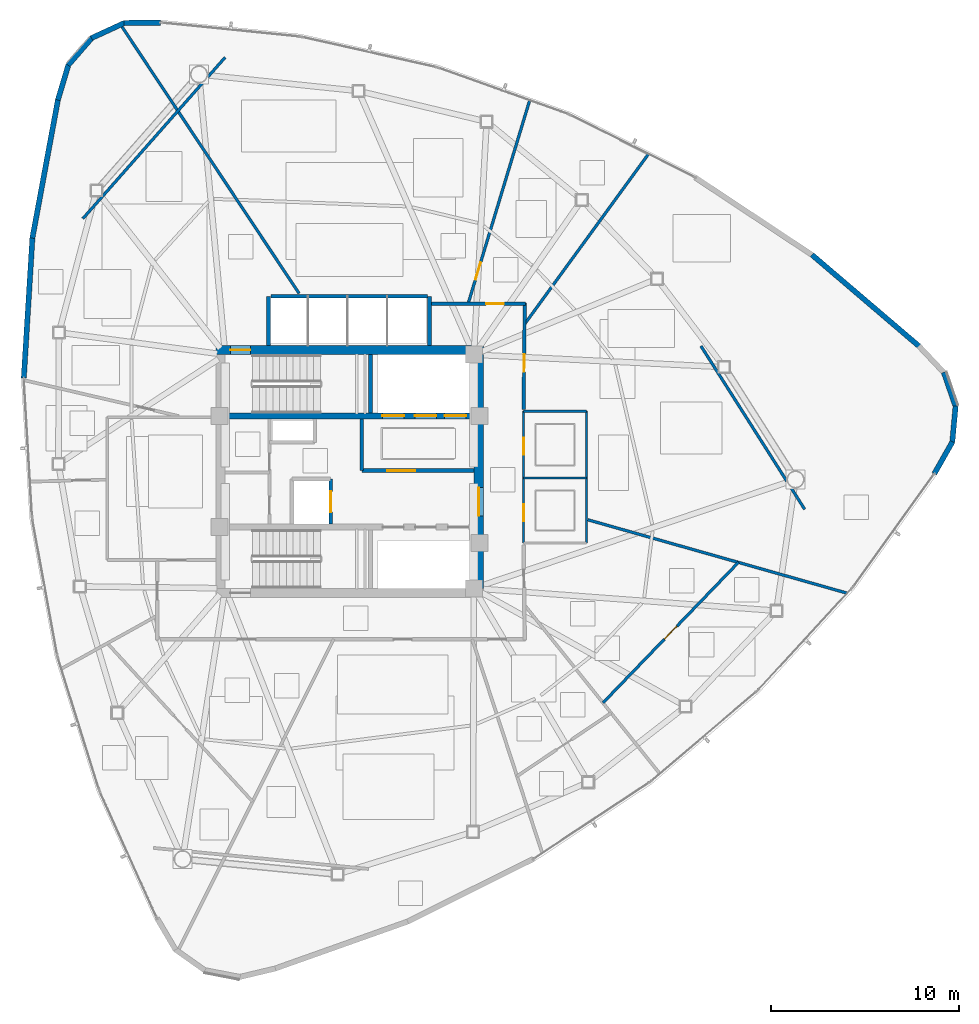
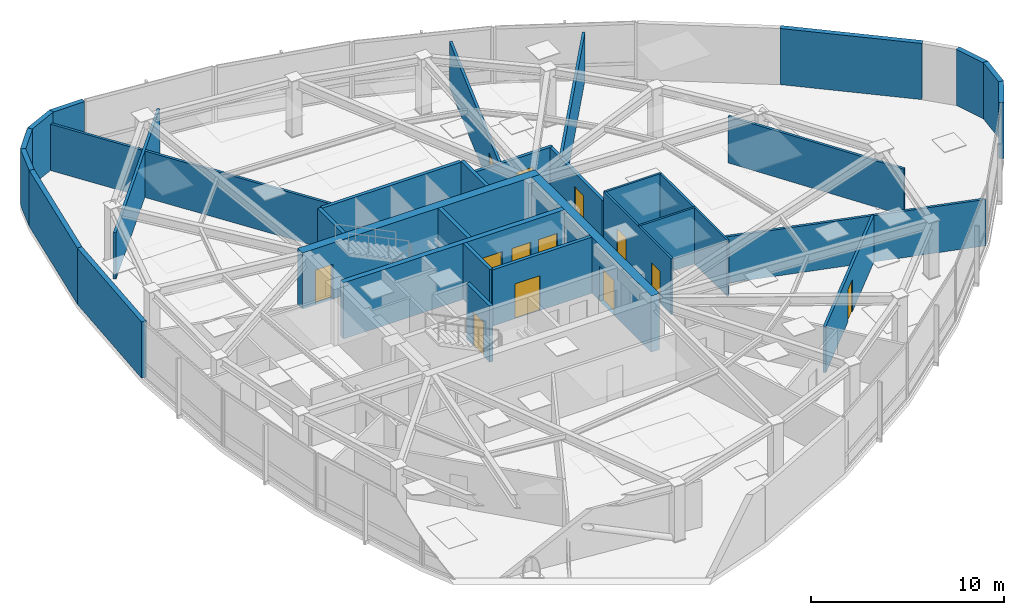
# One storey, part 12 of 17: 33 walls, 13 doors, 13 openings.
"""IFC4 building model written with IfcOpenShell, lengths in metres."""

from ifc_helpers import new_model, si_unit, direction, frame, frame_2d, origin, place, context, subcontext, project, spatial, rectangle, extrude, material, layer, layer_set, type_object, element, fill, save


model = new_model("IFC4")

# Units and contexts
model_context = context("Model", 3, precision=1e-05, world=origin(), true_north=direction((0.0, 1.0)))
body_context = subcontext(model_context, "Body", "Model", "MODEL_VIEW")
ifc_project = project(units=[si_unit("LENGTHUNIT", "METRE"), si_unit("AREAUNIT", "SQUARE_METRE"), si_unit("VOLUMEUNIT", "CUBIC_METRE"), si_unit("PLANEANGLEUNIT", "RADIAN"), si_unit("MASSUNIT", "GRAM", prefix="KILO")], contexts=[model_context])

# Site, building, storey
site_placement = place(None, origin())
site = spatial("IfcSite", under=ifc_project, at=site_placement, CompositionType="ELEMENT")
building_placement = place(site_placement, origin())
building = spatial("IfcBuilding", under=site, at=building_placement, Name="Tavelor Broadcast Tower", CompositionType="ELEMENT")
storey_placement = place(building_placement, frame((0.0, 0.0, 188.75)))
storey = spatial("IfcBuildingStorey", under=building, at=storey_placement, Name="L45", CompositionType="ELEMENT", Elevation=188.75)

# Wall, opening, door
ifc_material_1 = material(Name="Concrete C50/60", Category="concrete")
ifc_layer_1 = layer(ifc_material_1, 0.5)
ifc_layer_set_1 = layer_set([ifc_layer_1], Name="Concrete C50/60")
wall_type_1 = type_object("IfcWallType", Name="Core Shear Wall 500 mm", PredefinedType="SHEAR", material=ifc_layer_set_1)
wall_1_placement = place(storey_placement, frame((42.89990234375, 51.449951171875, 0.0), z_axis=(0.0, 0.0, 1.0), x_axis=(1.0, 0.0, 0.0)))
wall_1 = element("IfcWall", 1, at=wall_1_placement, inside=storey, type_object=wall_type_1, Name="L45 Central Core Shear Wall N", PredefinedType="SHEAR", context=body_context, shape_type="SweptSolid", body=[
    extrude(rectangle(XDim=14.2001953125, YDim=0.5, at=frame_2d((7.10009765625, 0.0))), origin(), (0.0, 0.0, 1.0), 3.550048828125),
])
opening_1_placement = place(wall_1_placement, frame((0.780029296875, 0.0, 0.0)))
opening_1 = element("IfcOpeningElement", 2, at=opening_1_placement, cuts=wall_1, Name="Opening DR11", PredefinedType="OPENING", context=body_context, shape_type="SweptSolid", body=[
    extrude(rectangle(XDim=1.050048828125, YDim=2.199951171875, at=frame_2d((0.52490234375, 1.10009765625))), frame((0.0, 0.260009765625, 0.0), z_axis=(0.0, -1.0, 0.0), x_axis=(1.0, 0.0, 0.0)), (0.0, 0.0, 1.0), 0.52001953125),
])
ifc_material_2 = material(Name="Steel S355", Category="steel")
door_type_1 = type_object("IfcDoorType", Name="Stair Core Fire Escape Door 1050x2200", OperationType="NOTDEFINED", PredefinedType="DOOR", material=ifc_material_2)
door_1_placement = place(opening_1_placement, origin())
door_1 = element("IfcDoor", 3, at=door_1_placement, inside=storey, type_object=door_type_1, Name="L45 Stair ST1 Protected Exit Door", OperationType="SINGLE_SWING_LEFT", OverallHeight=2.199951171875, OverallWidth=1.050048828125, PredefinedType="DOOR", context=body_context, shape_type="SweptSolid", body=[
    extrude(rectangle(XDim=1.050048828125, YDim=2.199951171875, at=frame_2d((0.52490234375, 1.10009765625))), frame((0.0, 0.02490234375, 0.0), z_axis=(0.0, -1.0, 0.0), x_axis=(1.0, 0.0, 0.0)), (0.0, 0.0, 1.0), 0.050048828125),
])
fill(opening_1, door_1)

wall_2_placement = place(storey_placement, frame((56.85009765625, 38.800048828125, 0.0), z_axis=(0.0, 0.0, 1.0), x_axis=(0.0, 1.0, 0.0)))
wall_2 = element("IfcWall", 4, at=wall_2_placement, inside=storey, type_object=wall_type_1, Name="L45 Central Core Shear Wall E", PredefinedType="SHEAR", context=body_context, shape_type="SweptSolid", body=[
    extrude(rectangle(XDim=12.39990234375, YDim=0.5, at=frame_2d((6.199951171875, 0.0))), origin(), (0.0, 0.0, 1.0), 3.550048828125),
])
opening_2_placement = place(wall_2_placement, frame((3.85009765625, 0.0, 0.0)))
opening_2 = element("IfcOpeningElement", 5, at=opening_2_placement, cuts=wall_2, Name="Opening DR14", PredefinedType="OPENING", context=body_context, shape_type="SweptSolid", body=[
    extrude(rectangle(XDim=1.5, YDim=2.199951171875, at=frame_2d((0.75, 1.10009765625))), frame((0.0, 0.260009765625, 0.0), z_axis=(0.0, -1.0, 0.0), x_axis=(1.0, 0.0, 0.0)), (0.0, 0.0, 1.0), 0.52001953125),
])
door_type_2 = type_object("IfcDoorType", Name="Firefighting Lobby Double Fire Door 1500x2200", OperationType="NOTDEFINED", PredefinedType="DOOR", material=ifc_material_2)
door_2_placement = place(opening_2_placement, origin())
door_2 = element("IfcDoor", 6, at=door_2_placement, inside=storey, type_object=door_type_2, Name="L45 Central Core Lobby Fire Door", OperationType="SINGLE_SWING_RIGHT", OverallHeight=2.199951171875, OverallWidth=1.5, PredefinedType="DOOR", context=body_context, shape_type="SweptSolid", body=[
    extrude(rectangle(XDim=1.5, YDim=2.199951171875, at=frame_2d((0.75, 1.10009765625))), frame((0.0, 0.02490234375, 0.0), z_axis=(0.0, -1.0, 0.0), x_axis=(1.0, 0.0, 0.0)), (0.0, 0.0, 1.0), 0.050048828125),
])
fill(opening_2, door_2)

# Wall, openings, doors
ifc_layer_2 = layer(ifc_material_1, 0.300048828125)
ifc_layer_set_2 = layer_set([ifc_layer_2], Name="Concrete C50/60")
wall_type_2 = type_object("IfcWallType", Name="Core Spine Shear Wall 300 mm C50", PredefinedType="SHEAR", material=ifc_layer_set_2)
wall_3_placement = place(storey_placement, frame((43.39990234375, 47.949951171875, 0.0), z_axis=(0.0, 0.0, 1.0), x_axis=(1.0, 0.0, 0.0)))
wall_3 = element("IfcWall", 7, at=wall_3_placement, inside=storey, type_object=wall_type_2, Name="L45 Central Core Shear Wall SP1", PredefinedType="SHEAR", context=body_context, shape_type="SweptSolid", body=[
    extrude(rectangle(XDim=13.2001953125, YDim=0.300048828125, at=frame_2d((6.60009765625, 0.0))), origin(), (0.0, 0.0, 1.0), 3.550048828125),
])
opening_3_placement = place(wall_3_placement, frame((8.344970703125, 0.0, 0.0)))
opening_3 = element("IfcOpeningElement", 8, at=opening_3_placement, cuts=wall_3, Name="Opening LD02", PredefinedType="OPENING", context=body_context, shape_type="SweptSolid", body=[
    extrude(rectangle(XDim=1.14990234375, YDim=2.199951171875, at=frame_2d((0.574951171875, 1.10009765625))), frame((0.0, 0.16015625, 0.0), z_axis=(0.0, -1.0, 0.0), x_axis=(1.0, 0.0, 0.0)), (0.0, 0.0, 1.0), 0.320068359375),
])
opening_4_placement = place(wall_3_placement, frame((10.06494140625, 0.0, 0.0)))
opening_4 = element("IfcOpeningElement", 9, at=opening_4_placement, cuts=wall_3, Name="Opening LD02", PredefinedType="OPENING", context=body_context, shape_type="SweptSolid", body=[
    extrude(rectangle(XDim=1.14990234375, YDim=2.199951171875, at=frame_2d((0.574951171875, 1.10009765625))), frame((0.0, 0.16015625, 0.0), z_axis=(0.0, -1.0, 0.0), x_axis=(1.0, 0.0, 0.0)), (0.0, 0.0, 1.0), 0.320068359375),
])
opening_5_placement = place(wall_3_placement, frame((11.64501953125, 0.0, 0.0)))
opening_5 = element("IfcOpeningElement", 10, at=opening_5_placement, cuts=wall_3, Name="Opening LD03", PredefinedType="OPENING", context=body_context, shape_type="SweptSolid", body=[
    extrude(rectangle(XDim=1.14990234375, YDim=2.199951171875, at=frame_2d((0.574951171875, 1.10009765625))), frame((0.0, 0.16015625, 0.0), z_axis=(0.0, -1.0, 0.0), x_axis=(1.0, 0.0, 0.0)), (0.0, 0.0, 1.0), 0.320068359375),
])
ifc_material_3 = material(Name="Reinforced Brushed Stainless Steel", Category="concrete")
door_type_3 = type_object("IfcDoorType", Name="Broadcast Goods Lift Sliding Landing Door 1250x2200", OperationType="NOTDEFINED", PredefinedType="DOOR", material=ifc_material_3)
door_3_placement = place(opening_5_placement, origin())
door_3 = element("IfcDoor", 11, at=door_3_placement, inside=storey, type_object=door_type_3, Name="L45 Lift SVL1 Sliding Landing Door", OperationType="SLIDING_TO_LEFT", OverallHeight=2.199951171875, OverallWidth=1.14990234375, PredefinedType="DOOR", context=body_context, shape_type="SweptSolid", body=[
    extrude(rectangle(XDim=1.14990234375, YDim=2.199951171875, at=frame_2d((0.574951171875, 1.10009765625))), frame((0.0, 0.02490234375, 0.0), z_axis=(0.0, -1.0, 0.0), x_axis=(1.0, 0.0, 0.0)), (0.0, 0.0, 1.0), 0.050048828125),
])
fill(opening_5, door_3)
ifc_material_4 = material(Name="Fire-Rated Stainless Steel", Category="steel")
door_type_4 = type_object("IfcDoorType", Name="Firefighting Lift Sliding Landing Door 1200x2200", OperationType="NOTDEFINED", PredefinedType="DOOR", material=ifc_material_4)
door_4_placement = place(opening_3_placement, origin())
door_4 = element("IfcDoor", 12, at=door_4_placement, inside=storey, type_object=door_type_4, Name="L45 Lift FFL1 Sliding Landing Door", OperationType="SLIDING_TO_LEFT", OverallHeight=2.199951171875, OverallWidth=1.14990234375, PredefinedType="DOOR", context=body_context, shape_type="SweptSolid", body=[
    extrude(rectangle(XDim=1.14990234375, YDim=2.199951171875, at=frame_2d((0.574951171875, 1.10009765625))), frame((0.0, 0.02490234375, 0.0), z_axis=(0.0, -1.0, 0.0), x_axis=(1.0, 0.0, 0.0)), (0.0, 0.0, 1.0), 0.050048828125),
])
fill(opening_3, door_4)
door_5_placement = place(opening_4_placement, origin())
door_5 = element("IfcDoor", 13, at=door_5_placement, inside=storey, type_object=door_type_4, Name="L45 Lift FFL2 Sliding Landing Door", OperationType="SLIDING_TO_LEFT", OverallHeight=2.199951171875, OverallWidth=1.14990234375, PredefinedType="DOOR", context=body_context, shape_type="SweptSolid", body=[
    extrude(rectangle(XDim=1.14990234375, YDim=2.199951171875, at=frame_2d((0.574951171875, 1.10009765625))), frame((0.0, 0.02490234375, 0.0), z_axis=(0.0, -1.0, 0.0), x_axis=(1.0, 0.0, 0.0)), (0.0, 0.0, 1.0), 0.050048828125),
])
fill(opening_4, door_5)

# Wall, opening, door
ifc_material_5 = material(Name="Calcium Silicate Fire Board 180 mm", Category="gypsum")
ifc_layer_3 = layer(ifc_material_5, 0.179931640625)
ifc_layer_set_3 = layer_set([ifc_layer_3], Name="Calcium Silicate Fire Board 180 mm")
wall_type_3 = type_object("IfcWallType", Name="Fire-Rated Corridor Partition Wall 180 mm", PredefinedType="PARTITIONING", material=ifc_layer_set_3)
wall_4_placement = place(storey_placement, frame((54.300048828125, 53.89990234375, 0.0), z_axis=(0.0, 0.0, 1.0), x_axis=(1.0, 0.0, 0.0)))
wall_4 = element("IfcWall", 14, at=wall_4_placement, inside=storey, type_object=wall_type_3, Name="L45 Corridor Compartment Wall 01", PredefinedType="PARTITIONING", context=body_context, shape_type="SweptSolid", body=[
    extrude(rectangle(XDim=5.050048828125, YDim=0.179931640625, at=frame_2d((2.52490234375, 0.0))), origin(), (0.0, 0.0, 1.0), 2.93505859375),
])
opening_6_placement = place(wall_4_placement, frame((2.947021484375, 0.0, 0.0)))
opening_6 = element("IfcOpeningElement", 15, at=opening_6_placement, cuts=wall_4, Name="Opening DR18", PredefinedType="OPENING", context=body_context, shape_type="SweptSolid", body=[
    extrude(rectangle(XDim=0.949951171875, YDim=2.050048828125, at=frame_2d((0.47509765625, 1.02490234375))), frame((0.0, 0.10009765625, 0.0), z_axis=(0.0, -1.0, 0.0), x_axis=(1.0, 0.0, 0.0)), (0.0, 0.0, 1.0), 0.199951171875),
])
ifc_material_6 = material(Name="Timber Solid Core Hardwood", Category="wood")
door_type_5 = type_object("IfcDoorType", Name="Corridor Rated Compartment Door 950x2050", OperationType="NOTDEFINED", PredefinedType="DOOR", material=ifc_material_6)
door_6_placement = place(opening_6_placement, origin())
door_6 = element("IfcDoor", 16, at=door_6_placement, inside=storey, type_object=door_type_5, Name="L45 Master Control Room Door R9", OperationType="SINGLE_SWING_LEFT", OverallHeight=2.050048828125, OverallWidth=0.949951171875, PredefinedType="DOOR", context=body_context, shape_type="SweptSolid", body=[
    extrude(rectangle(XDim=0.949951171875, YDim=2.050048828125, at=frame_2d((0.47509765625, 1.02490234375))), frame((0.0, 0.02490234375, 0.0), z_axis=(0.0, -1.0, 0.0), x_axis=(1.0, 0.0, 0.0)), (0.0, 0.0, 1.0), 0.050048828125),
])
fill(opening_6, door_6)

wall_5_placement = place(storey_placement, frame((59.300537109375, 53.949951171875, 0.0), z_axis=(0.0, 0.0, 1.0), x_axis=(-0.010629422803, -0.99994350609, 0.0)))
wall_5 = element("IfcWall", 17, at=wall_5_placement, inside=storey, type_object=wall_type_3, Name="L45 Corridor Compartment Wall 02", PredefinedType="PARTITIONING", context=body_context, shape_type="SweptSolid", body=[
    extrude(rectangle(XDim=5.650146484375, YDim=0.179931640625, at=frame_2d((2.8251953125, 0.0))), origin(), (0.0, 0.0, 1.0), 2.93505859375),
])
opening_7_placement = place(wall_5_placement, frame((2.71630859375, 0.0, 0.0)))
opening_7 = element("IfcOpeningElement", 18, at=opening_7_placement, cuts=wall_5, Name="Opening DR18", PredefinedType="OPENING", context=body_context, shape_type="SweptSolid", body=[
    extrude(rectangle(XDim=0.949951171875, YDim=2.050048828125, at=frame_2d((0.47509765625, 1.02490234375))), frame((0.0, 0.10009765625, 0.0), z_axis=(0.0, -1.0, 0.0), x_axis=(1.0, 0.0, 0.0)), (0.0, 0.0, 1.0), 0.199951171875),
])
door_7_placement = place(opening_7_placement, origin())
door_7 = element("IfcDoor", 19, at=door_7_placement, inside=storey, type_object=door_type_5, Name="L45 Standards Huddle Room Door R0", OperationType="SINGLE_SWING_RIGHT", OverallHeight=2.050048828125, OverallWidth=0.949951171875, PredefinedType="DOOR", context=body_context, shape_type="SweptSolid", body=[
    extrude(rectangle(XDim=0.949951171875, YDim=2.050048828125, at=frame_2d((0.47509765625, 1.02490234375))), frame((0.0, 0.02490234375, 0.0), z_axis=(0.0, -1.0, 0.0), x_axis=(1.0, 0.0, 0.0)), (0.0, 0.0, 1.0), 0.050048828125),
])
fill(opening_7, door_7)

# Walls
ifc_material_7 = material(Name="Precast Concrete C40/50", Category="concrete")
ifc_layer_4 = layer(ifc_material_7, 0.280029296875)
ifc_layer_set_4 = layer_set([ifc_layer_4], Name="Precast Concrete C40/50")
wall_type_4 = type_object("IfcWallType", Name="Insulated Precast Terracotta Facade Wall 280 mm", PredefinedType="STANDARD", material=ifc_layer_set_4)
wall_6_placement = place(storey_placement, frame((39.97509765625, 68.828125, 0.0), z_axis=(0.0, 0.0, 1.0), x_axis=(-0.999969682786, -0.007786752114, 0.0)))
element("IfcWall", 20, at=wall_6_placement, inside=storey, type_object=wall_type_4, Name="L45 Rounded Corner Structural Cladding Pier 01", PredefinedType="STANDARD", context=body_context, shape_type="SweptSolid", body=[
    extrude(rectangle(XDim=1.94384765625, YDim=0.280029296875, at=frame_2d((0.971923828125, 0.0))), origin(), (0.0, 0.0, 1.0), 3.550048828125),
])
for number, where, z_axis, x_axis, name in (
    (21, (38.06005859375, 68.8193359375, 0.0), (0.0, 0.0, 1.0), (-0.908129406014, -0.418689600936, 0.0), "L45 Rounded Corner Structural Cladding Pier 02"),
    (22, (36.32861328125, 68.02783203125, 0.0), (0.0, 0.0, 1.0), (-0.655440229508, -0.755247049344, 0.0), "L45 Rounded Corner Structural Cladding Pier 03"),
):
    element("IfcWall", number, at=place(storey_placement, frame(where, z_axis=z_axis, x_axis=x_axis)), inside=storey, type_object=wall_type_4, Name=name, PredefinedType="STANDARD", context=body_context, shape_type="SweptSolid", body=[
        extrude(rectangle(XDim=1.932373046875, YDim=0.280029296875, at=frame_2d((0.96630859375, 0.0))), origin(), (0.0, 0.0, 1.0), 3.550048828125),
    ])
wall_7_placement = place(storey_placement, frame((35.076171875, 66.593994140625, 0.0), z_axis=(0.0, 0.0, 1.0), x_axis=(-0.286511316859, -0.958076857727, 0.0)))
element("IfcWall", 23, at=wall_7_placement, inside=storey, type_object=wall_type_4, Name="L45 Rounded Corner Structural Cladding Pier 04", PredefinedType="STANDARD", context=body_context, shape_type="SweptSolid", body=[
    extrude(rectangle(XDim=1.954833984375, YDim=0.280029296875, at=frame_2d((0.9775390625, 0.0))), origin(), (0.0, 0.0, 1.0), 3.550048828125),
])
wall_8_placement = place(storey_placement, frame((34.52294921875, 64.750244140625, 0.0), z_axis=(0.0, 0.0, 1.0), x_axis=(-0.181818264713, -0.983332150708, 0.0)))
element("IfcWall", 24, at=wall_8_placement, inside=storey, type_object=wall_type_4, Name="L45 Rounded Corner Structural Cladding Pier 05", PredefinedType="STANDARD", context=body_context, shape_type="SweptSolid", body=[
    extrude(rectangle(XDim=7.484619140625, YDim=0.280029296875, at=frame_2d((3.7421875, 0.0))), origin(), (0.0, 0.0, 1.0), 3.550048828125),
])
wall_9_placement = place(storey_placement, frame((33.165771484375, 57.420166015625, 0.0), z_axis=(0.0, 0.0, 1.0), x_axis=(-0.061489369983, -0.998107738363, 0.0)))
element("IfcWall", 25, at=wall_9_placement, inside=storey, type_object=wall_type_4, Name="L45 Rounded Corner Structural Cladding Pier 06", PredefinedType="STANDARD", context=body_context, shape_type="SweptSolid", body=[
    extrude(rectangle(XDim=7.472412109375, YDim=0.280029296875, at=frame_2d((3.736328125, 0.0))), origin(), (0.0, 0.0, 1.0), 3.550048828125),
])
wall_10_placement = place(storey_placement, frame((81.048095703125, 44.88525390625, 0.0), z_axis=(0.0, 0.0, 1.0), x_axis=(0.493174166318, 0.869930595896, 0.0)))
element("IfcWall", 26, at=wall_10_placement, inside=storey, type_object=wall_type_4, Name="L45 Rounded Corner Structural Cladding Pier 21", PredefinedType="STANDARD", context=body_context, shape_type="SweptSolid", body=[
    extrude(rectangle(XDim=1.944091796875, YDim=0.280029296875, at=frame_2d((0.97216796875, 0.0))), origin(), (0.0, 0.0, 1.0), 3.550048828125),
])
for number, where, z_axis, x_axis, name in (
    (27, (81.998291015625, 46.54833984375, 0.0), (0.0, 0.0, 1.0), (0.091469789982, 0.995807851707, 0.0), "L45 Rounded Corner Structural Cladding Pier 22"),
    (28, (82.178466796875, 48.443603515625, 0.0), (0.0, 0.0, 1.0), (-0.326329396884, 0.945256115944, 0.0), "L45 Rounded Corner Structural Cladding Pier 23"),
):
    element("IfcWall", number, at=place(storey_placement, frame(where, z_axis=z_axis, x_axis=x_axis)), inside=storey, type_object=wall_type_4, Name=name, PredefinedType="STANDARD", context=body_context, shape_type="SweptSolid", body=[
        extrude(rectangle(XDim=1.932373046875, YDim=0.280029296875, at=frame_2d((0.96630859375, 0.0))), origin(), (0.0, 0.0, 1.0), 3.550048828125),
    ])
wall_11_placement = place(storey_placement, frame((80.24267578125, 51.64599609375, 0.0), z_axis=(0.0, 0.0, 1.0), x_axis=(-0.760682350226, 0.649124304009, 0.0)))
element("IfcWall", 29, at=wall_11_placement, inside=storey, type_object=wall_type_4, Name="L45 Rounded Corner Structural Cladding Pier 25", PredefinedType="STANDARD", context=body_context, shape_type="SweptSolid", body=[
    extrude(rectangle(XDim=7.484619140625, YDim=0.280029296875, at=frame_2d((3.7421875, 0.0))), origin(), (0.0, 0.0, 1.0), 3.550048828125),
])
ifc_material_8 = material(Name="Gypsum Acoustic Plasterboard 150 mm", Category="gypsum")
ifc_layer_5 = layer(ifc_material_8, 0.14990234375)
ifc_layer_set_5 = layer_set([ifc_layer_5], Name="Gypsum Acoustic Plasterboard 150 mm")
wall_type_5 = type_object("IfcWallType", Name="Interior Acoustic Partition Wall 150 mm", PredefinedType="PARTITIONING", material=ifc_layer_set_5)
wall_12_placement = place(storey_placement, frame((43.399658203125, 66.988525390625, 0.0), z_axis=(0.0, 0.0, 1.0), x_axis=(-0.661622343701, -0.749837231881, 0.0)))
element("IfcWall", 30, at=wall_12_placement, inside=storey, type_object=wall_type_5, Name="L45 Corner Tube Brace Furring Wall 1", PredefinedType="PARTITIONING", context=body_context, shape_type="SweptSolid", body=[
    extrude(rectangle(XDim=11.42724609375, YDim=0.14990234375, at=frame_2d((5.713623046875, 0.0))), origin(), (0.0, 0.0, 1.0), 2.93505859375),
])
wall_13_placement = place(storey_placement, frame((74.16259765625, 42.9931640625, 0.0), z_axis=(0.0, 0.0, 1.0), x_axis=(-0.53628142437, 0.844039237166, 0.0)))
element("IfcWall", 31, at=wall_13_placement, inside=storey, type_object=wall_type_5, Name="L45 Corner Tube Brace Furring Wall 3", PredefinedType="PARTITIONING", context=body_context, shape_type="SweptSolid", body=[
    extrude(rectangle(XDim=10.266845703125, YDim=0.14990234375, at=frame_2d((5.13330078125, 0.0))), origin(), (0.0, 0.0, 1.0), 2.93505859375),
])
wall_14_placement = place(storey_placement, frame((62.64990234375, 42.43798828125, 0.0), z_axis=(0.0, 0.0, 1.0), x_axis=(0.962193743566, -0.272365930033, 0.0)))
element("IfcWall", 32, at=wall_14_placement, inside=storey, type_object=wall_type_5, Name="L45 Radial Compartment Wall 06", PredefinedType="PARTITIONING", context=body_context, shape_type="SweptSolid", body=[
    extrude(rectangle(XDim=14.32568359375, YDim=0.14990234375, at=frame_2d((7.162841796875, 0.0))), origin(), (0.0, 0.0, 1.0), 2.93505859375),
])
wall_15_placement = place(storey_placement, frame((59.28857421875, 52.814208984375, 0.0), z_axis=(0.0, 0.0, 1.0), x_axis=(0.588529724329, 0.808475580077, 0.0)))
element("IfcWall", 33, at=wall_15_placement, inside=storey, type_object=wall_type_5, Name="L45 Radial Compartment Wall 07", PredefinedType="PARTITIONING", context=body_context, shape_type="SweptSolid", body=[
    extrude(rectangle(XDim=11.188720703125, YDim=0.14990234375, at=frame_2d((5.59423828125, 0.0))), origin(), (0.0, 0.0, 1.0), 3.02490234375),
])

# Wall, opening, door
wall_16_placement = place(storey_placement, frame((56.293701171875, 53.89990234375, 0.0), z_axis=(0.0, 0.0, 1.0), x_axis=(0.289675037267, 0.95712505598, 0.0)))
wall_16 = element("IfcWall", 34, at=wall_16_placement, inside=storey, type_object=wall_type_5, Name="L45 Radial Compartment Wall 08", PredefinedType="PARTITIONING", context=body_context, shape_type="SweptSolid", body=[
    extrude(rectangle(XDim=11.29541015625, YDim=0.14990234375, at=frame_2d((5.647705078125, 0.0))), origin(), (0.0, 0.0, 1.0), 2.93505859375),
])
opening_8_placement = place(wall_16_placement, frame((1.35009765625, 0.0, 0.0)))
opening_8 = element("IfcOpeningElement", 35, at=opening_8_placement, cuts=wall_16, Name="Opening DR18", PredefinedType="OPENING", context=body_context, shape_type="SweptSolid", body=[
    extrude(rectangle(XDim=0.949951171875, YDim=2.050048828125, at=frame_2d((0.47509765625, 1.02490234375))), frame((0.0, 0.0849609375, 0.0), z_axis=(0.0, -1.0, 0.0), x_axis=(1.0, 0.0, 0.0)), (0.0, 0.0, 1.0), 0.169921875),
])
door_8_placement = place(opening_8_placement, origin())
door_8 = element("IfcDoor", 36, at=door_8_placement, inside=storey, type_object=door_type_5, Name="L45 Suite Connecting Door 8", OperationType="SINGLE_SWING_RIGHT", OverallHeight=2.050048828125, OverallWidth=0.949951171875, PredefinedType="DOOR", context=body_context, shape_type="SweptSolid", body=[
    extrude(rectangle(XDim=0.949951171875, YDim=2.050048828125, at=frame_2d((0.47509765625, 1.02490234375))), frame((0.0, 0.02490234375, 0.0), z_axis=(0.0, -1.0, 0.0), x_axis=(1.0, 0.0, 0.0)), (0.0, 0.0, 1.0), 0.050048828125),
])
fill(opening_8, door_8)

# Wall
wall_17_placement = place(storey_placement, frame((47.32421875, 54.449951171875, 0.0), z_axis=(0.0, 0.0, 1.0), x_axis=(-0.553223575902, 0.83303281752, 0.0)))
element("IfcWall", 37, at=wall_17_placement, inside=storey, type_object=wall_type_5, Name="L45 Radial Compartment Wall 09", PredefinedType="PARTITIONING", context=body_context, shape_type="SweptSolid", body=[
    extrude(rectangle(XDim=17.1416015625, YDim=0.14990234375, at=frame_2d((8.57080078125, 0.0))), origin(), (0.0, 0.0, 1.0), 2.93505859375),
])

# Wall, opening, door
wall_18_placement = place(storey_placement, frame((63.4541015625, 32.718505859375, 0.0), z_axis=(0.0, 0.0, 1.0), x_axis=(0.694169154848, 0.719811909083, 0.0)))
wall_18 = element("IfcWall", 38, at=wall_18_placement, inside=storey, type_object=wall_type_5, Name="L45 Suite Chord Partition Wall 02", PredefinedType="PARTITIONING", context=body_context, shape_type="SweptSolid", body=[
    extrude(rectangle(XDim=10.358642578125, YDim=0.14990234375, at=frame_2d((5.17919921875, 0.0))), origin(), (0.0, 0.0, 1.0), 2.93505859375),
])
opening_9_placement = place(wall_18_placement, frame((4.704345703125, 0.0, 0.0)))
opening_9 = element("IfcOpeningElement", 39, at=opening_9_placement, cuts=wall_18, Name="Opening DR23", PredefinedType="OPENING", context=body_context, shape_type="SweptSolid", body=[
    extrude(rectangle(XDim=0.949951171875, YDim=2.050048828125, at=frame_2d((0.47509765625, 1.02490234375))), frame((0.0, 0.0849609375, 0.0), z_axis=(0.0, -1.0, 0.0), x_axis=(1.0, 0.0, 0.0)), (0.0, 0.0, 1.0), 0.169921875),
])
door_type_6 = type_object("IfcDoorType", Name="Editorial Room Acoustic Door 950x2050", OperationType="NOTDEFINED", PredefinedType="DOOR", material=ifc_material_6)
door_9_placement = place(opening_9_placement, origin())
door_9 = element("IfcDoor", 40, at=door_9_placement, inside=storey, type_object=door_type_6, Name="L45 Outer Suite Partition Door 2", OperationType="SINGLE_SWING_LEFT", OverallHeight=2.050048828125, OverallWidth=0.949951171875, PredefinedType="DOOR", context=body_context, shape_type="SweptSolid", body=[
    extrude(rectangle(XDim=0.949951171875, YDim=2.050048828125, at=frame_2d((0.47509765625, 1.02490234375))), frame((0.0, 0.02490234375, 0.0), z_axis=(0.0, -1.0, 0.0), x_axis=(1.0, 0.0, 0.0)), (0.0, 0.0, 1.0), 0.050048828125),
])
fill(opening_9, door_9)

ifc_material_9 = material(Name="Concrete Blockwork 200 mm", Category="masonry")
ifc_layer_6 = layer(ifc_material_9, 0.199951171875)
ifc_layer_set_6 = layer_set([ifc_layer_6], Name="Concrete Blockwork 200 mm")
wall_type_6 = type_object("IfcWallType", Name="Lift Hoistway Rated Front Wall 200 mm", PredefinedType="PARTITIONING", material=ifc_layer_set_6)
wall_19_placement = place(storey_placement, frame((49.0, 42.199951171875, 0.0), z_axis=(0.0, 0.0, 1.0), x_axis=(0.0, 1.0, 0.0)))
wall_19 = element("IfcWall", 41, at=wall_19_placement, inside=storey, type_object=wall_type_6, Name="L45 Mid-Rise Lift PLM4 Hoistway Front Wall", PredefinedType="PARTITIONING", context=body_context, shape_type="SweptSolid", body=[
    extrude(rectangle(XDim=2.400146484375, YDim=0.199951171875, at=frame_2d((1.2001953125, 0.0))), origin(), (0.0, 0.0, 1.0), 3.550048828125),
])
opening_10_placement = place(wall_19_placement, frame((0.64990234375, 0.0, 0.0)))
opening_10 = element("IfcOpeningElement", 42, at=opening_10_placement, cuts=wall_19, Name="Opening LD01", PredefinedType="OPENING", context=body_context, shape_type="SweptSolid", body=[
    extrude(rectangle(XDim=1.10009765625, YDim=2.14990234375, at=frame_2d((0.550048828125, 1.074951171875))), frame((0.0, 0.10986328125, 0.0), z_axis=(0.0, -1.0, 0.0), x_axis=(1.0, 0.0, 0.0)), (0.0, 0.0, 1.0), 0.219970703125),
])
ifc_material_10 = material(Name="Brushed Stainless Steel", Category="steel")
door_type_7 = type_object("IfcDoorType", Name="Passenger Lift Sliding Landing Door 1100x2150", OperationType="NOTDEFINED", PredefinedType="DOOR", material=ifc_material_10)
door_10_placement = place(opening_10_placement, origin())
door_10 = element("IfcDoor", 43, at=door_10_placement, inside=storey, type_object=door_type_7, Name="L45 Lift PLM4 Sliding Landing Door", OperationType="SLIDING_TO_RIGHT", OverallHeight=2.14990234375, OverallWidth=1.10009765625, PredefinedType="DOOR", context=body_context, shape_type="SweptSolid", body=[
    extrude(rectangle(XDim=1.10009765625, YDim=2.14990234375, at=frame_2d((0.550048828125, 1.074951171875))), frame((0.0, 0.02490234375, 0.0), z_axis=(0.0, -1.0, 0.0), x_axis=(1.0, 0.0, 0.0)), (0.0, 0.0, 1.0), 0.050048828125),
])
fill(opening_10, door_10)

# Walls
wall_20_placement = place(storey_placement, frame((45.820068359375, 54.300048828125, 0.0), z_axis=(0.0, 0.0, 1.0), x_axis=(1.0, 0.0, 0.0)))
element("IfcWall", 44, at=wall_20_placement, inside=storey, type_object=wall_type_6, Name="L45 High-Rise Lift Hoistway Front Wall", PredefinedType="PARTITIONING", context=body_context, shape_type="SweptSolid", body=[
    extrude(rectangle(XDim=8.309814453125, YDim=0.199951171875, at=frame_2d((4.15478515625, 0.0))), origin(), (0.0, 0.0, 1.0), 3.550048828125),
])
ifc_layer_7 = layer(ifc_material_9, 0.199951171875)
ifc_layer_set_7 = layer_set([ifc_layer_7], Name="Concrete Blockwork 200 mm")
wall_type_7 = type_object("IfcWallType", Name="Lift and Riser Shaft Enclosure Wall 200 mm", PredefinedType="PARTITIONING", material=ifc_layer_set_7)
for number, where, z_axis, x_axis, name in (
    (45, (45.699951171875, 51.699951171875, 0.0), (0.0, 0.0, 1.0), (0.0, 1.0, 0.0), "L45 High-Rise Lift Shaft West Wall"),
    (46, (54.25, 51.699951171875, 0.0), (0.0, 0.0, 1.0), (0.0, 1.0, 0.0), "L45 High-Rise Lift Shaft East Wall"),
):
    element("IfcWall", number, at=place(storey_placement, frame(where, z_axis=z_axis, x_axis=x_axis)), inside=storey, type_object=wall_type_7, Name=name, PredefinedType="PARTITIONING", context=body_context, shape_type="SweptSolid", body=[
        extrude(rectangle(XDim=2.60009765625, YDim=0.199951171875, at=frame_2d((1.300048828125, 0.0))), origin(), (0.0, 0.0, 1.0), 3.550048828125),
    ])

# Wall, opening, door
wall_21_placement = place(storey_placement, frame((50.64990234375, 45.050048828125, 0.0), z_axis=(0.0, 0.0, 1.0), x_axis=(1.0, 0.0, 0.0)))
wall_21 = element("IfcWall", 47, at=wall_21_placement, inside=storey, type_object=wall_type_7, Name="L45 Firefighting Lobby South Wall", PredefinedType="PARTITIONING", context=body_context, shape_type="SweptSolid", body=[
    extrude(rectangle(XDim=5.9501953125, YDim=0.199951171875, at=frame_2d((2.97509765625, 0.0))), origin(), (0.0, 0.0, 1.0), 3.550048828125),
])
opening_11_placement = place(wall_21_placement, frame((1.35009765625, 0.0, 0.0)))
opening_11 = element("IfcOpeningElement", 48, at=opening_11_placement, cuts=wall_21, Name="Opening DR14", PredefinedType="OPENING", context=body_context, shape_type="SweptSolid", body=[
    extrude(rectangle(XDim=1.5, YDim=2.199951171875, at=frame_2d((0.75, 1.10009765625))), frame((0.0, 0.10986328125, 0.0), z_axis=(0.0, -1.0, 0.0), x_axis=(1.0, 0.0, 0.0)), (0.0, 0.0, 1.0), 0.219970703125),
])
door_11_placement = place(opening_11_placement, origin())
door_11 = element("IfcDoor", 49, at=door_11_placement, inside=storey, type_object=door_type_2, Name="L45 Firefighting Lobby Compartment Door", OperationType="SINGLE_SWING_LEFT", OverallHeight=2.199951171875, OverallWidth=1.5, PredefinedType="DOOR", context=body_context, shape_type="SweptSolid", body=[
    extrude(rectangle(XDim=1.5, YDim=2.199951171875, at=frame_2d((0.75, 1.10009765625))), frame((0.0, 0.02490234375, 0.0), z_axis=(0.0, -1.0, 0.0), x_axis=(1.0, 0.0, 0.0)), (0.0, 0.0, 1.0), 0.050048828125),
])
fill(opening_11, door_11)

# Wall
wall_22_placement = place(storey_placement, frame((50.64990234375, 45.050048828125, 0.0), z_axis=(0.0, 0.0, 1.0), x_axis=(0.0, 1.0, 0.0)))
element("IfcWall", 50, at=wall_22_placement, inside=storey, type_object=wall_type_7, Name="L45 Firefighting Lobby West Wall", PredefinedType="PARTITIONING", context=body_context, shape_type="SweptSolid", body=[
    extrude(rectangle(XDim=2.75, YDim=0.199951171875, at=frame_2d((1.375, 0.0))), origin(), (0.0, 0.0, 1.0), 3.550048828125),
])

# Wall, openings, doors
ifc_material_11 = material(Name="Moisture-Resistant Plasterboard 120 mm", Category="gypsum")
ifc_layer_8 = layer(ifc_material_11, 0.1201171875)
ifc_layer_set_8 = layer_set([ifc_layer_8], Name="Moisture-Resistant Plasterboard 120 mm")
wall_type_8 = type_object("IfcWallType", Name="Moisture-Resistant Wet-Room Partition 120 mm", PredefinedType="PARTITIONING", material=ifc_layer_set_8)
wall_23_placement = place(storey_placement, frame((59.239990234375, 41.199951171875, 0.0), z_axis=(0.0, 0.0, 1.0), x_axis=(0.0, 1.0, 0.0)))
wall_23 = element("IfcWall", 51, at=wall_23_placement, inside=storey, type_object=wall_type_8, Name="L45 Floor Washrooms West Wall", PredefinedType="PARTITIONING", context=body_context, shape_type="SweptSolid", body=[
    extrude(rectangle(XDim=7.0, YDim=0.1201171875, at=frame_2d((3.5, 0.0))), origin(), (0.0, 0.0, 1.0), 3.550048828125),
])
opening_12_placement = place(wall_23_placement, frame((1.14990234375, 0.0, 0.0)))
opening_12 = element("IfcOpeningElement", 52, at=opening_12_placement, cuts=wall_23, Name="Opening DR32", PredefinedType="OPENING", context=body_context, shape_type="SweptSolid", body=[
    extrude(rectangle(XDim=0.89990234375, YDim=2.050048828125, at=frame_2d((0.449951171875, 1.02490234375))), frame((0.0, 0.070068359375, 0.0), z_axis=(0.0, -1.0, 0.0), x_axis=(1.0, 0.0, 0.0)), (0.0, 0.0, 1.0), 0.14013671875),
])
opening_13_placement = place(wall_23_placement, frame((4.699951171875, 0.0, 0.0)))
opening_13 = element("IfcOpeningElement", 53, at=opening_13_placement, cuts=wall_23, Name="Opening DR32", PredefinedType="OPENING", context=body_context, shape_type="SweptSolid", body=[
    extrude(rectangle(XDim=0.89990234375, YDim=2.050048828125, at=frame_2d((0.449951171875, 1.02490234375))), frame((0.0, 0.070068359375, 0.0), z_axis=(0.0, -1.0, 0.0), x_axis=(1.0, 0.0, 0.0)), (0.0, 0.0, 1.0), 0.14013671875),
])
door_type_8 = type_object("IfcDoorType", Name="Accessible Washroom Door 900x2050", OperationType="NOTDEFINED", PredefinedType="DOOR", material=ifc_material_6)
door_12_placement = place(opening_12_placement, origin())
door_12 = element("IfcDoor", 54, at=door_12_placement, inside=storey, type_object=door_type_8, Name="L45 Accessible WC Door", OperationType="SINGLE_SWING_LEFT", OverallHeight=2.050048828125, OverallWidth=0.89990234375, PredefinedType="DOOR", context=body_context, shape_type="SweptSolid", body=[
    extrude(rectangle(XDim=0.89990234375, YDim=2.050048828125, at=frame_2d((0.449951171875, 1.02490234375))), frame((0.0, 0.02490234375, 0.0), z_axis=(0.0, -1.0, 0.0), x_axis=(1.0, 0.0, 0.0)), (0.0, 0.0, 1.0), 0.050048828125),
])
fill(opening_12, door_12)
door_13_placement = place(opening_13_placement, origin())
door_13 = element("IfcDoor", 55, at=door_13_placement, inside=storey, type_object=door_type_8, Name="L45 Staff Washroom WC Door", OperationType="SINGLE_SWING_RIGHT", OverallHeight=2.050048828125, OverallWidth=0.89990234375, PredefinedType="DOOR", context=body_context, shape_type="SweptSolid", body=[
    extrude(rectangle(XDim=0.89990234375, YDim=2.050048828125, at=frame_2d((0.449951171875, 1.02490234375))), frame((0.0, 0.02490234375, 0.0), z_axis=(0.0, -1.0, 0.0), x_axis=(1.0, 0.0, 0.0)), (0.0, 0.0, 1.0), 0.050048828125),
])
fill(opening_13, door_13)

# Walls
for number, where, z_axis, x_axis, name in (
    (56, (59.239990234375, 44.64990234375, 0.0), (0.0, 0.0, 1.0), (1.0, 0.0, 0.0), "L45 Floor Washrooms Divider Wall"),
    (57, (59.239990234375, 48.199951171875, 0.0), (0.0, 0.0, 1.0), (1.0, 0.0, 0.0), "L45 Floor Washrooms North Wall"),
):
    element("IfcWall", number, at=place(storey_placement, frame(where, z_axis=z_axis, x_axis=x_axis)), inside=storey, type_object=wall_type_8, Name=name, PredefinedType="PARTITIONING", context=body_context, shape_type="SweptSolid", body=[
        extrude(rectangle(XDim=3.340087890625, YDim=0.1201171875, at=frame_2d((1.669921875, 0.0))), origin(), (0.0, 0.0, 1.0), 3.550048828125),
    ])
wall_24_placement = place(storey_placement, frame((62.580078125, 41.199951171875, 0.0), z_axis=(0.0, 0.0, 1.0), x_axis=(0.0, 1.0, 0.0)))
element("IfcWall", 58, at=wall_24_placement, inside=storey, type_object=wall_type_8, Name="L45 Floor Washrooms East Wall", PredefinedType="PARTITIONING", context=body_context, shape_type="SweptSolid", body=[
    extrude(rectangle(XDim=7.0, YDim=0.1201171875, at=frame_2d((3.5, 0.0))), origin(), (0.0, 0.0, 1.0), 3.550048828125),
])
ifc_material_12 = material(Name="Concrete C40/50", Category="concrete")
ifc_layer_9 = layer(ifc_material_12, 0.219970703125)
ifc_layer_set_9 = layer_set([ifc_layer_9], Name="Concrete C40/50")
wall_type_9 = type_object("IfcWallType", Name="Structural Stairwell Shear Wall 220 mm", PredefinedType="SHEAR", material=ifc_layer_set_9)
wall_25_placement = place(storey_placement, frame((51.110107421875, 48.10009765625, 0.0), z_axis=(0.0, 0.0, 1.0), x_axis=(0.0, 1.0, 0.0)))
element("IfcWall", 59, at=wall_25_placement, inside=storey, type_object=wall_type_9, Name="L45 Stair ST1 Structural Shaft Wall", PredefinedType="SHEAR", context=body_context, shape_type="SweptSolid", body=[
    extrude(rectangle(XDim=3.099853515625, YDim=0.219970703125, at=frame_2d((1.5498046875, 0.0))), origin(), (0.0, 0.0, 1.0), 3.550048828125),
])

save(model, "model.ifc")
